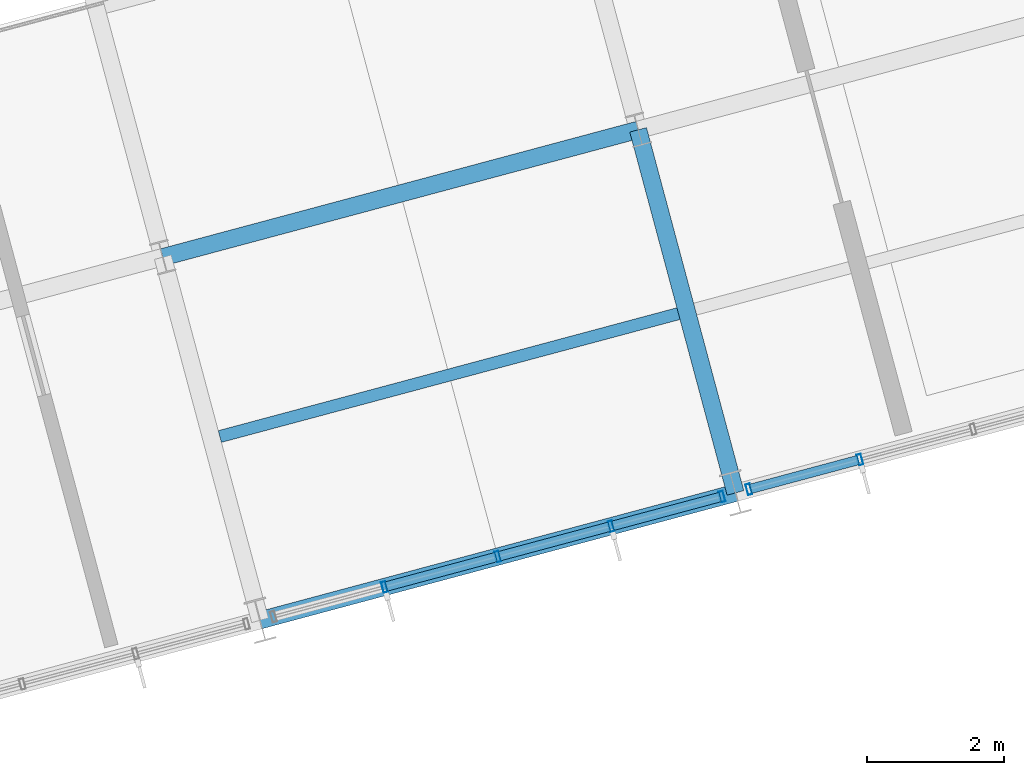
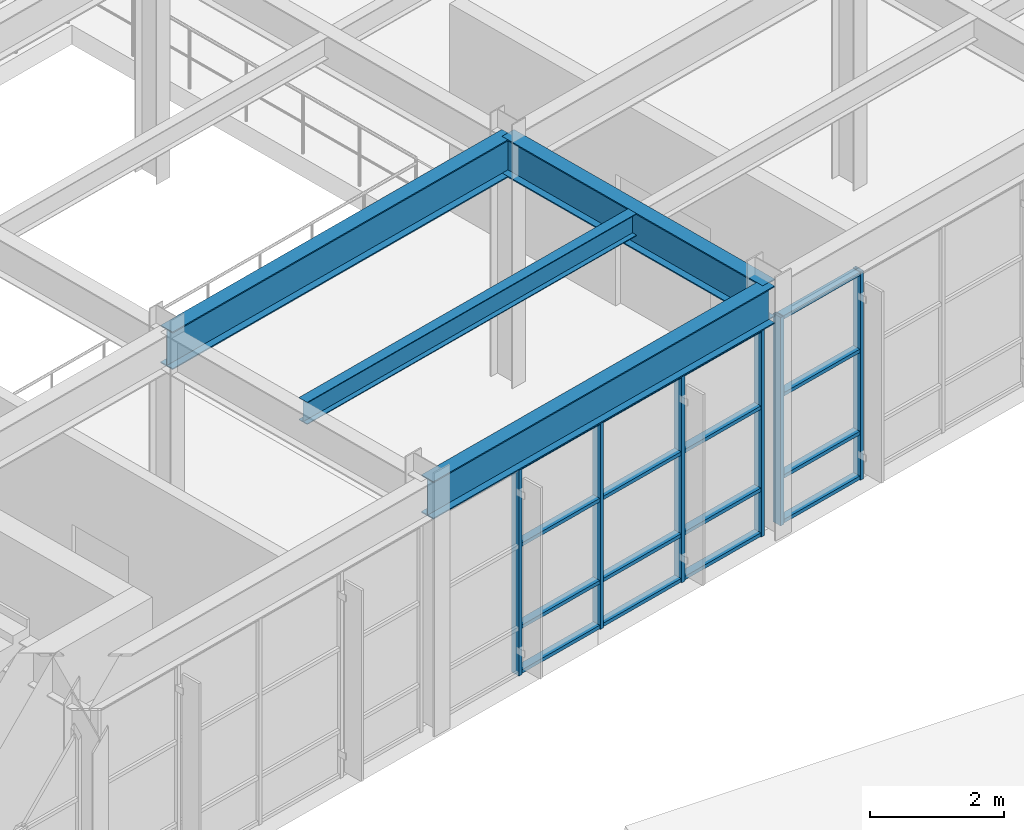
# One storey, part 45 of 104: 22 members, 4 beams, 2 elements without a shape of their own.
"""IFC4 building model written with IfcOpenShell, lengths in metres."""

from ifc_helpers import new_model, si_unit, direction, frame, origin, origin_2d, place, context, subcontext, project, spatial, hollow_rectangle, i_section, extrude, material, layer, layer_set, material_profile, profile_set, type_object, element, aggregate, save


model = new_model("IFC4")

# Units and contexts
model_context = context("Model", 3, precision=1e-05, world=origin(), true_north=direction((0.0, 1.0)))
body_context = subcontext(model_context, "Body", "Model", "MODEL_VIEW")
ifc_project = project(units=[si_unit("LENGTHUNIT", "METRE"), si_unit("AREAUNIT", "SQUARE_METRE"), si_unit("VOLUMEUNIT", "CUBIC_METRE"), si_unit("PLANEANGLEUNIT", "RADIAN"), si_unit("MASSUNIT", "GRAM", prefix="KILO")], contexts=[model_context])

# Site, building, storey
site_placement = place(None, origin())
site = spatial("IfcSite", under=ifc_project, at=site_placement, CompositionType="ELEMENT")
building_placement = place(site_placement, origin())
building = spatial("IfcBuilding", under=site, at=building_placement, Name="Ventoquebrada Cableway Terminal", CompositionType="ELEMENT")
storey_placement = place(building_placement, frame((0.0, 0.0, 4.800048828125)))
storey = spatial("IfcBuildingStorey", under=building, at=storey_placement, Name="L01", CompositionType="ELEMENT", Elevation=4.800048828125)

# Beams
ifc_material_1 = material(Name="Steel ASTM A992 Grade 50", Category="steel")
ifc_material_profile_1 = material_profile(ifc_material_1, i_section(OverallWidth=0.25390625, OverallDepth=0.68798828125, WebThickness=0.01318359375, FlangeThickness=0.02099609375, at=origin_2d()), Name="W27X102")
ifc_profile_set_1 = profile_set([ifc_material_profile_1], Name="Steel ASTM A992 Grade 50")
beam_type_1 = type_object("IfcBeamType", Name="BM-ST04", PredefinedType="BEAM", material=ifc_profile_set_1)
beam_1_placement = place(storey_placement, frame((72.842041015625, 75.375, 4.130859375), z_axis=(-0.258941703614, 0.965892951693, 0.0), x_axis=(-0.965892951693, -0.258941703614, 0.0)))
element("IfcBeam", 1, at=beam_1_placement, inside=storey, type_object=beam_type_1, Name="Splayed station girder FBM-1029", PredefinedType="BEAM", context=body_context, shape_type="SweptSolid", body=[
    extrude(i_section(OverallWidth=0.25390625, OverallDepth=0.68798828125, WebThickness=0.01318359375, FlangeThickness=0.02099609375, at=origin_2d()), origin(), (0.0, 0.0, 1.0), 5.49951171875),
])
beam_2_placement = place(storey_placement, frame((65.886962890625, 73.510986328125, 4.130859375), z_axis=(0.96591172503, 0.258871665986, 0.0), x_axis=(-0.258871665986, 0.96591172503, 0.0)))
element("IfcBeam", 2, at=beam_2_placement, inside=storey, type_object=beam_type_1, Name="Splayed station girder FBM-1043", PredefinedType="BEAM", context=body_context, shape_type="SweptSolid", body=[
    extrude(i_section(OverallWidth=0.25390625, OverallDepth=0.68798828125, WebThickness=0.01318359375, FlangeThickness=0.02099609375, at=origin_2d()), origin(), (0.0, 0.0, 1.0), 7.200439453125),
])
beam_3_placement = place(storey_placement, frame((64.464111328125, 78.823974609375, 4.130859375), z_axis=(0.965934277216, 0.258787503754, 0.0), x_axis=(-0.258787503754, 0.965934277216, 0.0)))
element("IfcBeam", 3, at=beam_3_placement, inside=storey, type_object=beam_type_1, Name="Splayed station girder FBM-1048", PredefinedType="BEAM", context=body_context, shape_type="SweptSolid", body=[
    extrude(i_section(OverallWidth=0.25390625, OverallDepth=0.68798828125, WebThickness=0.01318359375, FlangeThickness=0.02099609375, at=origin_2d()), origin(), (0.0, 0.0, 1.0), 7.19921875),
])

# Curtain wall, members
ifc_material_2 = material(Name="Anodized thermally-broken aluminium", Category="aluminium")
ifc_layer = layer(ifc_material_2, 0.159912109375)
ifc_layer_set = layer_set([ifc_layer], Name="Anodized thermally-broken aluminium")
curtain_wall_type = type_object("IfcCurtainWallType", Name="CW-T36", PredefinedType="USERDEFINED", material=ifc_layer_set)
curtain_wall_1_placement = place(storey_placement, origin())
curtain_wall_1 = element("IfcCurtainWall", 4, at=curtain_wall_1_placement, inside=storey, type_object=curtain_wall_type, Name="Unitised glazed curtain wall CW-085", ObjectType="UNITISED CURTAIN WALL", PredefinedType="USERDEFINED")
ifc_material_profile_2 = material_profile(ifc_material_2, hollow_rectangle(XDim=0.06494140625, YDim=0.159912109375, WallThickness=0.00390625, at=origin_2d()), Name="CW-MUL-65X160")
ifc_profile_set_2 = profile_set([ifc_material_profile_2], Name="Anodized thermally-broken aluminium")
member_type_1 = type_object("IfcMemberType", Name="CWM-01", PredefinedType="MULLION", material=ifc_profile_set_2)
member_1_placement = place(storey_placement, frame((67.70703125, 73.9990234375, -0.008056640625), z_axis=(0.0, 0.0, 1.0), x_axis=(0.96593486019, 0.258785327773, 0.0)))
member_1 = element("IfcMember", 5, at=member_1_placement, type_object=member_type_1, Name="Curtain wall mullion FML-0415", PredefinedType="MULLION", context=body_context, shape_type="SweptSolid", body=[
    extrude(hollow_rectangle(XDim=0.06494140625, YDim=0.159912109375, WallThickness=0.00390625, at=origin_2d()), origin(), (0.0, 0.0, 1.0), 3.794921875),
])
member_2_placement = place(storey_placement, frame((69.364013671875, 74.443115234375, -0.008056640625), z_axis=(0.0, 0.0, 1.0), x_axis=(0.96593486019, 0.258785327773, 0.0)))
member_2 = element("IfcMember", 6, at=member_2_placement, type_object=member_type_1, Name="Curtain wall mullion FML-0416", PredefinedType="MULLION", context=body_context, shape_type="SweptSolid", body=[
    extrude(hollow_rectangle(XDim=0.06494140625, YDim=0.159912109375, WallThickness=0.00390625, at=origin_2d()), origin(), (0.0, 0.0, 1.0), 3.794921875),
])
member_3_placement = place(storey_placement, frame((71.02197265625, 74.886962890625, -0.008056640625), z_axis=(0.0, 0.0, 1.0), x_axis=(0.96593486019, 0.258785327773, 0.0)))
member_3 = element("IfcMember", 7, at=member_3_placement, type_object=member_type_1, Name="Curtain wall mullion FML-0417", PredefinedType="MULLION", context=body_context, shape_type="SweptSolid", body=[
    extrude(hollow_rectangle(XDim=0.06494140625, YDim=0.159912109375, WallThickness=0.00390625, at=origin_2d()), origin(), (0.0, 0.0, 1.0), 3.794921875),
])
member_4_placement = place(storey_placement, frame((72.64501953125, 75.322021484375, -0.008056640625), z_axis=(0.0, 0.0, 1.0), x_axis=(0.96593486019, 0.258785327773, 0.0)))
member_4 = element("IfcMember", 8, at=member_4_placement, type_object=member_type_1, Name="Curtain wall mullion FML-0418", PredefinedType="MULLION", context=body_context, shape_type="SweptSolid", body=[
    extrude(hollow_rectangle(XDim=0.06494140625, YDim=0.159912109375, WallThickness=0.00390625, at=origin_2d()), origin(), (0.0, 0.0, 1.0), 3.794921875),
])

curtain_wall_2_placement = place(storey_placement, origin())
curtain_wall_2 = element("IfcCurtainWall", 9, at=curtain_wall_2_placement, inside=storey, type_object=curtain_wall_type, Name="Unitised glazed curtain wall CW-086", ObjectType="UNITISED CURTAIN WALL", PredefinedType="USERDEFINED")
member_5_placement = place(storey_placement, frame((73.0390625, 75.427978515625, -0.008056640625), z_axis=(0.0, 0.0, 1.0), x_axis=(0.965970984022, 0.258650455301, 0.0)))
member_5 = element("IfcMember", 10, at=member_5_placement, type_object=member_type_1, Name="Curtain wall mullion FML-0419", PredefinedType="MULLION", context=body_context, shape_type="SweptSolid", body=[
    extrude(hollow_rectangle(XDim=0.06494140625, YDim=0.159912109375, WallThickness=0.00390625, at=origin_2d()), origin(), (0.0, 0.0, 1.0), 3.794921875),
])
member_6_placement = place(storey_placement, frame((74.662109375, 75.863037109375, -0.008056640625), z_axis=(0.0, 0.0, 1.0), x_axis=(0.965970984022, 0.258650455301, 0.0)))
member_6 = element("IfcMember", 11, at=member_6_placement, type_object=member_type_1, Name="Curtain wall mullion FML-0420", PredefinedType="MULLION", context=body_context, shape_type="SweptSolid", body=[
    extrude(hollow_rectangle(XDim=0.06494140625, YDim=0.159912109375, WallThickness=0.00390625, at=origin_2d()), origin(), (0.0, 0.0, 1.0), 3.794921875),
])

# Member
ifc_material_profile_3 = material_profile(ifc_material_2, hollow_rectangle(XDim=0.06494140625, YDim=0.139892578125, WallThickness=0.00390625, at=origin_2d()), Name="CW-TRN-65X140")
ifc_profile_set_3 = profile_set([ifc_material_profile_3], Name="Anodized thermally-broken aluminium")
member_type_2 = type_object("IfcMemberType", Name="CWT-01", PredefinedType="USERDEFINED", material=ifc_profile_set_3)
member_7_placement = place(storey_placement, frame((67.73388671875, 74.006103515625, 0.034912109375), z_axis=(0.965904733217, 0.258897752693, 0.0), x_axis=(0.0, 0.0, 1.0)))
member_7 = element("IfcMember", 12, at=member_7_placement, type_object=member_type_2, Name="Curtain wall transom FTR-1228", ObjectType="TRANSOM", PredefinedType="USERDEFINED", context=body_context, shape_type="SweptSolid", body=[
    extrude(hollow_rectangle(XDim=0.06494140625, YDim=0.139892578125, WallThickness=0.00390625, at=origin_2d()), origin(), (0.0, 0.0, 1.0), 1.66064453125),
])

member_8_placement = place(storey_placement, frame((67.73388671875, 74.006103515625, 0.849853515625), z_axis=(0.965904733217, 0.258897752693, 0.0), x_axis=(0.0, 0.0, 1.0)))
member_8 = element("IfcMember", 13, at=member_8_placement, type_object=member_type_2, Name="Curtain wall transom FTR-1229", ObjectType="TRANSOM", PredefinedType="USERDEFINED", context=body_context, shape_type="SweptSolid", body=[
    extrude(hollow_rectangle(XDim=0.06494140625, YDim=0.139892578125, WallThickness=0.00390625, at=origin_2d()), origin(), (0.0, 0.0, 1.0), 1.66064453125),
])

member_9_placement = place(storey_placement, frame((67.73388671875, 74.006103515625, 2.344970703125), z_axis=(0.965904733217, 0.258897752693, 0.0), x_axis=(0.0, 0.0, 1.0)))
member_9 = element("IfcMember", 14, at=member_9_placement, type_object=member_type_2, Name="Curtain wall transom FTR-1230", ObjectType="TRANSOM", PredefinedType="USERDEFINED", context=body_context, shape_type="SweptSolid", body=[
    extrude(hollow_rectangle(XDim=0.06494140625, YDim=0.139892578125, WallThickness=0.00390625, at=origin_2d()), origin(), (0.0, 0.0, 1.0), 1.66064453125),
])

member_10_placement = place(storey_placement, frame((67.73388671875, 74.006103515625, 3.7470703125), z_axis=(0.965904733217, 0.258897752693, 0.0), x_axis=(0.0, 0.0, 1.0)))
member_10 = element("IfcMember", 15, at=member_10_placement, type_object=member_type_2, Name="Curtain wall transom FTR-1231", ObjectType="TRANSOM", PredefinedType="USERDEFINED", context=body_context, shape_type="SweptSolid", body=[
    extrude(hollow_rectangle(XDim=0.06494140625, YDim=0.139892578125, WallThickness=0.00390625, at=origin_2d()), origin(), (0.0, 0.0, 1.0), 1.66064453125),
])

member_11_placement = place(storey_placement, frame((69.39111328125, 74.449951171875, 0.034912109375), z_axis=(0.965904733217, 0.258897752693, 0.0), x_axis=(0.0, 0.0, 1.0)))
member_11 = element("IfcMember", 16, at=member_11_placement, type_object=member_type_2, Name="Curtain wall transom FTR-1232", ObjectType="TRANSOM", PredefinedType="USERDEFINED", context=body_context, shape_type="SweptSolid", body=[
    extrude(hollow_rectangle(XDim=0.06494140625, YDim=0.139892578125, WallThickness=0.00390625, at=origin_2d()), origin(), (0.0, 0.0, 1.0), 1.66064453125),
])

member_12_placement = place(storey_placement, frame((69.39111328125, 74.449951171875, 0.849853515625), z_axis=(0.965904733217, 0.258897752693, 0.0), x_axis=(0.0, 0.0, 1.0)))
member_12 = element("IfcMember", 17, at=member_12_placement, type_object=member_type_2, Name="Curtain wall transom FTR-1233", ObjectType="TRANSOM", PredefinedType="USERDEFINED", context=body_context, shape_type="SweptSolid", body=[
    extrude(hollow_rectangle(XDim=0.06494140625, YDim=0.139892578125, WallThickness=0.00390625, at=origin_2d()), origin(), (0.0, 0.0, 1.0), 1.66064453125),
])

member_13_placement = place(storey_placement, frame((69.39111328125, 74.449951171875, 2.344970703125), z_axis=(0.965904733217, 0.258897752693, 0.0), x_axis=(0.0, 0.0, 1.0)))
member_13 = element("IfcMember", 18, at=member_13_placement, type_object=member_type_2, Name="Curtain wall transom FTR-1234", ObjectType="TRANSOM", PredefinedType="USERDEFINED", context=body_context, shape_type="SweptSolid", body=[
    extrude(hollow_rectangle(XDim=0.06494140625, YDim=0.139892578125, WallThickness=0.00390625, at=origin_2d()), origin(), (0.0, 0.0, 1.0), 1.66064453125),
])

member_14_placement = place(storey_placement, frame((69.39111328125, 74.449951171875, 3.7470703125), z_axis=(0.965904733217, 0.258897752693, 0.0), x_axis=(0.0, 0.0, 1.0)))
member_14 = element("IfcMember", 19, at=member_14_placement, type_object=member_type_2, Name="Curtain wall transom FTR-1235", ObjectType="TRANSOM", PredefinedType="USERDEFINED", context=body_context, shape_type="SweptSolid", body=[
    extrude(hollow_rectangle(XDim=0.06494140625, YDim=0.139892578125, WallThickness=0.00390625, at=origin_2d()), origin(), (0.0, 0.0, 1.0), 1.66064453125),
])

member_15_placement = place(storey_placement, frame((71.048095703125, 74.89404296875, 0.034912109375), z_axis=(0.965925267213, 0.258821131594, 0.0), x_axis=(0.0, 0.0, 1.0)))
member_15 = element("IfcMember", 20, at=member_15_placement, type_object=member_type_2, Name="Curtain wall transom FTR-1236", ObjectType="TRANSOM", PredefinedType="USERDEFINED", context=body_context, shape_type="SweptSolid", body=[
    extrude(hollow_rectangle(XDim=0.06494140625, YDim=0.139892578125, WallThickness=0.00390625, at=origin_2d()), origin(), (0.0, 0.0, 1.0), 1.626220703125),
])

member_16_placement = place(storey_placement, frame((71.048095703125, 74.89404296875, 0.849853515625), z_axis=(0.965925267213, 0.258821131594, 0.0), x_axis=(0.0, 0.0, 1.0)))
member_16 = element("IfcMember", 21, at=member_16_placement, type_object=member_type_2, Name="Curtain wall transom FTR-1237", ObjectType="TRANSOM", PredefinedType="USERDEFINED", context=body_context, shape_type="SweptSolid", body=[
    extrude(hollow_rectangle(XDim=0.06494140625, YDim=0.139892578125, WallThickness=0.00390625, at=origin_2d()), origin(), (0.0, 0.0, 1.0), 1.626220703125),
])

member_17_placement = place(storey_placement, frame((71.048095703125, 74.89404296875, 2.344970703125), z_axis=(0.965925267213, 0.258821131594, 0.0), x_axis=(0.0, 0.0, 1.0)))
member_17 = element("IfcMember", 22, at=member_17_placement, type_object=member_type_2, Name="Curtain wall transom FTR-1238", ObjectType="TRANSOM", PredefinedType="USERDEFINED", context=body_context, shape_type="SweptSolid", body=[
    extrude(hollow_rectangle(XDim=0.06494140625, YDim=0.139892578125, WallThickness=0.00390625, at=origin_2d()), origin(), (0.0, 0.0, 1.0), 1.626220703125),
])

member_18_placement = place(storey_placement, frame((71.048095703125, 74.89404296875, 3.7470703125), z_axis=(0.965925267213, 0.258821131594, 0.0), x_axis=(0.0, 0.0, 1.0)))
member_18 = element("IfcMember", 23, at=member_18_placement, type_object=member_type_2, Name="Curtain wall transom FTR-1239", ObjectType="TRANSOM", PredefinedType="USERDEFINED", context=body_context, shape_type="SweptSolid", body=[
    extrude(hollow_rectangle(XDim=0.06494140625, YDim=0.139892578125, WallThickness=0.00390625, at=origin_2d()), origin(), (0.0, 0.0, 1.0), 1.626220703125),
])

aggregate(curtain_wall_1, [member_1, member_2, member_3, member_4, member_7, member_8, member_9, member_10, member_11, member_12, member_13, member_14, member_15, member_16, member_17, member_18])

member_19_placement = place(storey_placement, frame((73.06494140625, 75.43505859375, 0.034912109375), z_axis=(0.965935321875, 0.258783604493, 0.0), x_axis=(0.0, 0.0, 1.0)))
member_19 = element("IfcMember", 24, at=member_19_placement, type_object=member_type_2, Name="Curtain wall transom FTR-1240", ObjectType="TRANSOM", PredefinedType="USERDEFINED", context=body_context, shape_type="SweptSolid", body=[
    extrude(hollow_rectangle(XDim=0.06494140625, YDim=0.139892578125, WallThickness=0.00390625, at=origin_2d()), origin(), (0.0, 0.0, 1.0), 1.62646484375),
])

member_20_placement = place(storey_placement, frame((73.06494140625, 75.43505859375, 0.849853515625), z_axis=(0.965935321875, 0.258783604493, 0.0), x_axis=(0.0, 0.0, 1.0)))
member_20 = element("IfcMember", 25, at=member_20_placement, type_object=member_type_2, Name="Curtain wall transom FTR-1241", ObjectType="TRANSOM", PredefinedType="USERDEFINED", context=body_context, shape_type="SweptSolid", body=[
    extrude(hollow_rectangle(XDim=0.06494140625, YDim=0.139892578125, WallThickness=0.00390625, at=origin_2d()), origin(), (0.0, 0.0, 1.0), 1.62646484375),
])

member_21_placement = place(storey_placement, frame((73.06494140625, 75.43505859375, 2.344970703125), z_axis=(0.965935321875, 0.258783604493, 0.0), x_axis=(0.0, 0.0, 1.0)))
member_21 = element("IfcMember", 26, at=member_21_placement, type_object=member_type_2, Name="Curtain wall transom FTR-1242", ObjectType="TRANSOM", PredefinedType="USERDEFINED", context=body_context, shape_type="SweptSolid", body=[
    extrude(hollow_rectangle(XDim=0.06494140625, YDim=0.139892578125, WallThickness=0.00390625, at=origin_2d()), origin(), (0.0, 0.0, 1.0), 1.62646484375),
])

member_22_placement = place(storey_placement, frame((73.06494140625, 75.43505859375, 3.7470703125), z_axis=(0.965935321875, 0.258783604493, 0.0), x_axis=(0.0, 0.0, 1.0)))
member_22 = element("IfcMember", 27, at=member_22_placement, type_object=member_type_2, Name="Curtain wall transom FTR-1243", ObjectType="TRANSOM", PredefinedType="USERDEFINED", context=body_context, shape_type="SweptSolid", body=[
    extrude(hollow_rectangle(XDim=0.06494140625, YDim=0.139892578125, WallThickness=0.00390625, at=origin_2d()), origin(), (0.0, 0.0, 1.0), 1.62646484375),
])

aggregate(curtain_wall_2, [member_5, member_6, member_19, member_20, member_21, member_22])

# Beam
ifc_material_profile_4 = material_profile(ifc_material_1, i_section(OverallWidth=0.177978515625, OverallDepth=0.406005859375, WebThickness=0.0078125, FlangeThickness=0.0126953125, at=origin_2d()), Name="W16X40")
ifc_profile_set_4 = profile_set([ifc_material_profile_4], Name="Steel ASTM A992 Grade 50")
beam_type_2 = type_object("IfcBeamType", Name="JST-ST06", PredefinedType="JOIST", material=ifc_profile_set_4)
beam_4_placement = place(storey_placement, frame((65.298095703125, 76.199951171875, 4.27197265625), z_axis=(0.965919812794, 0.258841486728, 0.0), x_axis=(-0.258841486728, 0.965919812794, 0.0)))
element("IfcBeam", 28, at=beam_4_placement, inside=storey, type_object=beam_type_2, Name="Splayed deck joist FBM-1070", PredefinedType="JOIST", context=body_context, shape_type="SweptSolid", body=[
    extrude(i_section(OverallWidth=0.177978515625, OverallDepth=0.406005859375, WebThickness=0.0078125, FlangeThickness=0.0126953125, at=origin_2d()), origin(), (0.0, 0.0, 1.0), 6.94677734375),
])

save(model, "model.ifc")
